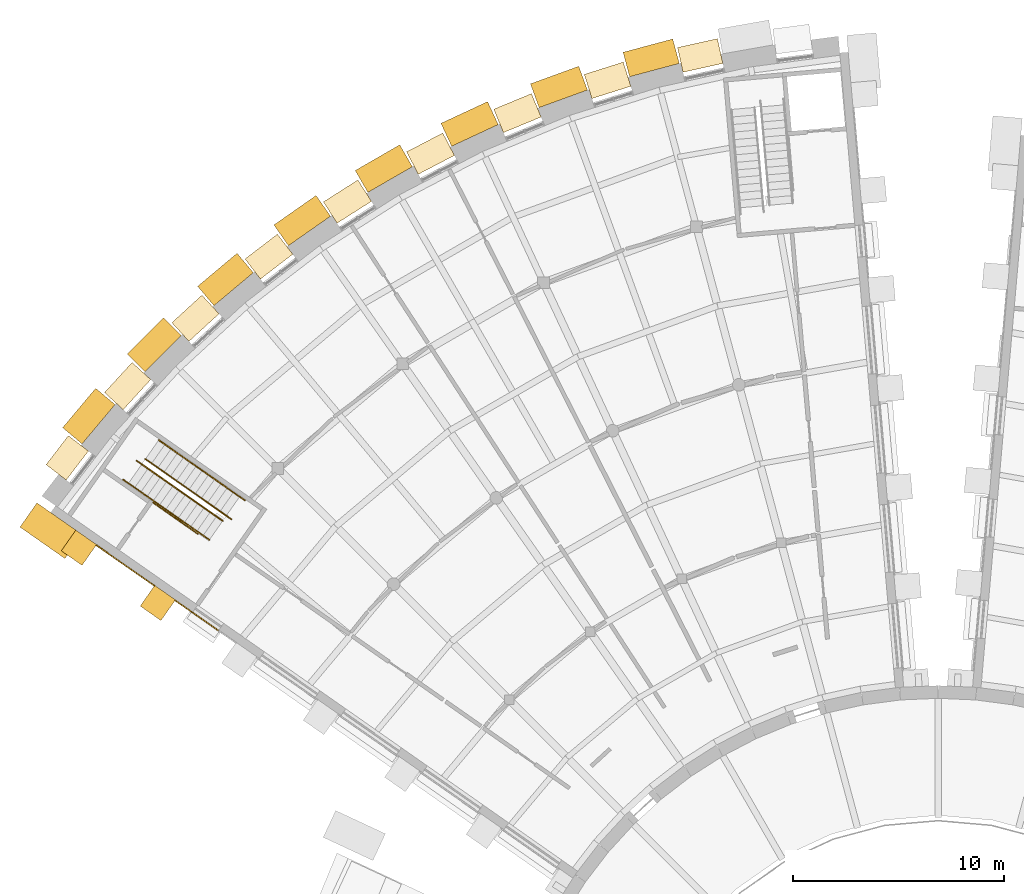
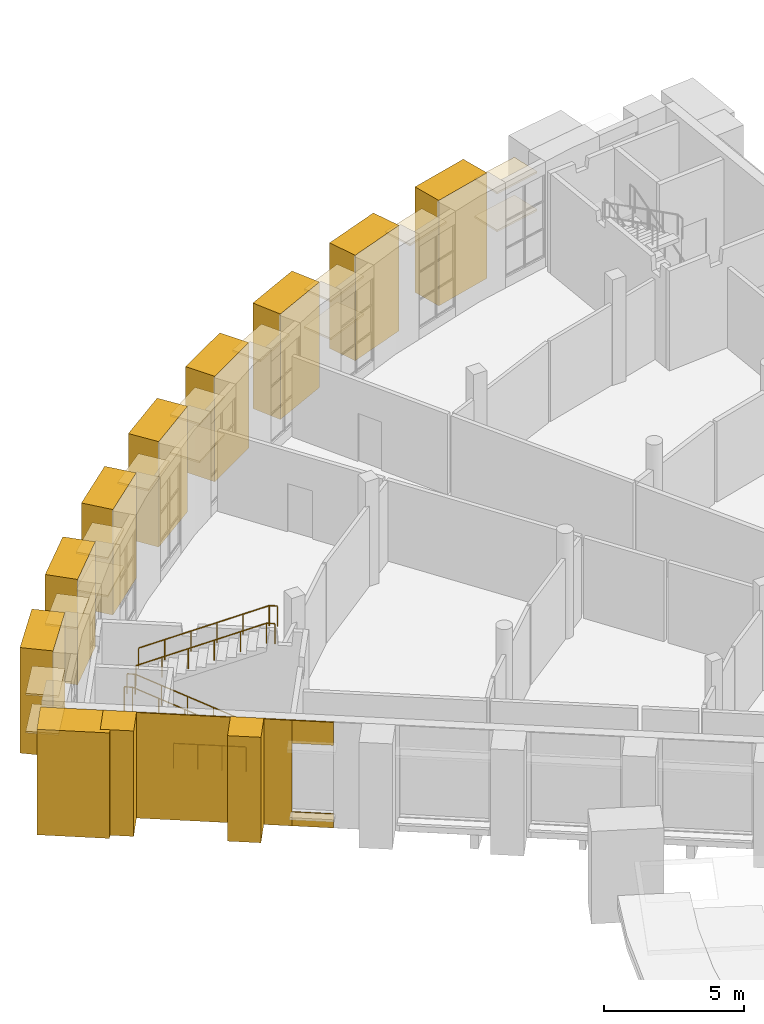
# One storey, part 45 of 50: 29 coverings, 5 railings.
"""IFC4 building model written with IfcOpenShell, lengths in metres."""

from ifc_helpers import new_model, si_unit, direction, frame, origin, origin_2d, place, context, subcontext, project, spatial, polyline, rectangle, circle, outline, extrude, material, layer, layer_set, type_object, element, save


model = new_model("IFC4")

# Units and contexts
model_context = context("Model", 3, precision=1e-05, world=origin(), true_north=direction((0.0, 1.0)))
body_context = subcontext(model_context, "Body", "Model", "MODEL_VIEW")
ifc_project = project(units=[si_unit("LENGTHUNIT", "METRE"), si_unit("AREAUNIT", "SQUARE_METRE"), si_unit("VOLUMEUNIT", "CUBIC_METRE"), si_unit("PLANEANGLEUNIT", "RADIAN"), si_unit("MASSUNIT", "GRAM", prefix="KILO")], contexts=[model_context])

# Site, building, storey
site_placement = place(None, origin())
site = spatial("IfcSite", under=ifc_project, at=site_placement, CompositionType="ELEMENT")
building_placement = place(site_placement, origin())
building = spatial("IfcBuilding", under=site, at=building_placement, Name="Volute Hill Aquarium", CompositionType="ELEMENT")
storey_placement = place(building_placement, frame((0.0, 0.0, 9.199951171875)))
storey = spatial("IfcBuildingStorey", under=building, at=storey_placement, Name="L03", CompositionType="ELEMENT", Elevation=9.199951171875)

# Coverings
ifc_material_1 = material(Name="Precast concrete C40/50", Category="concrete")
covering_type_1 = type_object("IfcCoveringType", Name="End wall precast fin C40/50 1200x1200", PredefinedType="CLADDING", material=ifc_material_1)
for number, where, z_axis, x_axis, name in (
    (1, (-36.982177734375, 24.91845703125, 0.0), (0.0, 0.0, 1.0), (-0.819151442029, 0.573577296467, 0.0), "End wall fin EWF S6B L03 6"),
    (2, (-40.72021484375, 27.535888671875, 0.0), (0.0, 0.0, 1.0), (-0.819151442029, 0.573577296467, 0.0), "End wall fin EWF S6B L03 7"),
):
    element("IfcCovering", number, at=place(storey_placement, frame(where, z_axis=z_axis, x_axis=x_axis)), inside=storey, type_object=covering_type_1, Name=name, PredefinedType="CLADDING", context=body_context, shape_type="SweptSolid", body=[
        extrude(rectangle(XDim=1.199951171875, YDim=1.199951171875, at=origin_2d()), origin(), (0.0, 0.0, 1.0), 4.60009765625),
    ])
ifc_material_2 = material(Name="Precast concrete C40/50", Category="concrete")
ifc_layer_1 = layer(ifc_material_2, 0.050048828125)
ifc_layer_set_1 = layer_set([ifc_layer_1], Name="End wall precast infill panel C40/50 50")
covering_type_2 = type_object("IfcCoveringType", Name="End wall precast infill panel C40/50 50", PredefinedType="CLADDING", material=ifc_layer_set_1)
covering_1_placement = place(storey_placement, frame((-34.093017578125, 23.628173828125, 0.0), z_axis=(0.573560650686, 0.819163097304, 0.0), x_axis=(-0.819163097304, 0.573560650686, 0.0)))
element("IfcCovering", 3, at=covering_1_placement, inside=storey, type_object=covering_type_2, Name="End wall panel EWP S6B L03 5", PredefinedType="CLADDING", context=body_context, shape_type="SweptSolid", body=[
    extrude(outline(polyline([(0.0, 0.0), (1.5000184574581061, 0.0), (1.5000184574581061, 0.60009765625), (0.0, 0.60009765625), (0.0, 0.0)])), origin(), (0.0, 0.0, -1.0), 0.050048828125),
])
covering_2_placement = place(storey_placement, frame((-34.093017578125, 23.628173828125, 3.60009765625), z_axis=(0.573560650686, 0.819163097304, 0.0), x_axis=(-0.819163097304, 0.573560650686, 0.0)))
element("IfcCovering", 4, at=covering_2_placement, inside=storey, type_object=covering_type_2, Name="End wall panel EWP S6B L03 5", PredefinedType="CLADDING", context=body_context, shape_type="SweptSolid", body=[
    extrude(outline(polyline([(0.0, 0.0), (1.5000184574581061, 0.0), (1.5000184574581061, 1.0), (0.0, 1.0), (0.0, 0.0)])), origin(), (0.0, 0.0, -1.0), 0.050048828125),
])
covering_3_placement = place(storey_placement, frame((-35.32177734375, 24.488525390625, 0.0), z_axis=(0.57352744492, 0.819186346275, 0.0), x_axis=(-0.819186346275, 0.57352744492, 0.0)))
element("IfcCovering", 5, at=covering_3_placement, inside=storey, type_object=covering_type_2, Name="End wall panel EWP S6B L03 5", PredefinedType="CLADDING", context=body_context, shape_type="SweptSolid", body=[
    extrude(outline(polyline([(0.0, 0.0), (1.0067392297248692, 0.0), (1.0067392297248692, 4.60009765625), (0.0, 4.60009765625), (0.0, 0.0)])), origin(), (0.0, 0.0, -1.0), 0.050048828125),
])
covering_4_placement = place(storey_placement, frame((-37.12939453125, 25.754150390625, 0.0), z_axis=(0.573584128646, 0.819146658032, 0.0), x_axis=(-0.819146658032, 0.573584128646, 0.0)))
element("IfcCovering", 6, at=covering_4_placement, inside=storey, type_object=covering_type_2, Name="End wall panel EWP S6B L03 6", PredefinedType="CLADDING", context=body_context, shape_type="SweptSolid", body=[
    extrude(outline(polyline([(0.0, 0.0), (3.3634110889781903, 0.0), (3.3634110889781903, 4.60009765625), (0.0, 4.60009765625), (0.0, 0.0)])), origin(), (0.0, 0.0, -1.0), 0.050048828125),
])

# Railings
ifc_material_3 = material(Name="Stainless steel 1.4301", Category="steel")
railing_type_1 = type_object("IfcRailingType", Name="Guard 1100 stainless", PredefinedType="GUARDRAIL", material=ifc_material_3)
railing_1_placement = place(storey_placement, frame((-37.206298828125, 29.677734375, 0.0)))
element("IfcRailing", 7, at=railing_1_placement, inside=storey, type_object=railing_type_1, Name="gd/S6-B/L03/edge", PredefinedType="GUARDRAIL", context=body_context, shape_type="SweptSolid", body=[
    extrude(circle(Radius=0.02392578125, at=origin_2d()), frame((0.0, 0.0, 1.076171875), z_axis=(0.819178980414, -0.573537965655, 0.0), x_axis=(0.573537965655, 0.819178980414, 0.0)), (0.0, 0.0, 1.0), 2.60009765625),
    extrude(circle(Radius=0.02099609375, at=origin_2d()), origin(), (0.0, 0.0, 1.0), 1.052001953125),
    extrude(circle(Radius=0.02099609375, at=origin_2d()), frame((0.7099609375, -0.4970703125, 0.0)), (0.0, 0.0, 1.0), 1.052001953125),
    extrude(circle(Radius=0.02099609375, at=origin_2d()), frame((1.419921875, -0.994140625, 0.0)), (0.0, 0.0, 1.0), 1.052001953125),
    extrude(circle(Radius=0.02099609375, at=origin_2d()), frame((2.1298828125, -1.4912109375, 0.0)), (0.0, 0.0, 1.0), 1.052001953125),
])
railing_2_placement = place(storey_placement, frame((-34.5390625, 27.90771484375, 0.164306640625)))
element("IfcRailing", 8, at=railing_2_placement, inside=storey, type_object=railing_type_1, Name="gd/S6-B/L03/1", PredefinedType="GUARDRAIL", context=body_context, shape_type="SweptSolid", body=[
    extrude(circle(Radius=0.02392578125, at=origin_2d()), frame((0.0, 0.0, 1.076171875), z_axis=(-0.745211487204, 0.521833121906, 0.415150613899), x_axis=(-0.573598873883, -0.819136332902, 0.0)), (0.0, 0.0, 1.0), 5.14453125),
    extrude(circle(Radius=0.02392578125, at=origin_2d()), frame((-3.833740234375, 2.6845703125, 3.2119140625), z_axis=(-0.818925855405, 0.573899332068, 0.0), x_axis=(-0.573899332068, -0.818925855405, 0.0)), (0.0, 0.0, 1.0), 0.2998046875),
    extrude(circle(Radius=0.02099609375, at=origin_2d()), origin(), (0.0, 0.0, 1.0), 1.052001953125),
    extrude(circle(Radius=0.02099609375, at=origin_2d()), frame((-0.766845703125, 0.536865234375, 0.42724609375)), (0.0, 0.0, 1.0), 1.052001953125),
    extrude(circle(Radius=0.02099609375, at=origin_2d()), frame((-1.533447265625, 1.07373046875, 0.854248046875)), (0.0, 0.0, 1.0), 1.052001953125),
    extrude(circle(Radius=0.02099609375, at=origin_2d()), frame((-2.30029296875, 1.61083984375, 1.281494140625)), (0.0, 0.0, 1.0), 1.052001953125),
    extrude(circle(Radius=0.02099609375, at=origin_2d()), frame((-3.06689453125, 2.147705078125, 1.70849609375)), (0.0, 0.0, 1.0), 1.052001953125),
    extrude(circle(Radius=0.02099609375, at=origin_2d()), frame((-3.833740234375, 2.6845703125, 2.1357421875)), (0.0, 0.0, 1.0), 1.052001953125),
    extrude(circle(Radius=0.02099609375, at=origin_2d()), frame((-4.079345703125, 2.856689453125, 2.1357421875)), (0.0, 0.0, 1.0), 1.052001953125),
])
ifc_material_4 = material(Name="Stainless steel 1.4301", Category="steel")
railing_type_2 = type_object("IfcRailingType", Name="Handrail 48 stainless", PredefinedType="HANDRAIL", material=ifc_material_4)
railing_3_placement = place(storey_placement, frame((-33.908203125, 28.808837890625, 0.164306640625)))
element("IfcRailing", 9, at=railing_3_placement, inside=storey, type_object=railing_type_2, Name="hr/S6-B/L03/2", PredefinedType="HANDRAIL", context=body_context, shape_type="SweptSolid", body=[
    extrude(circle(Radius=0.02392578125, at=origin_2d()), frame((0.0, 0.0, 0.8759765625), z_axis=(-0.745190384026, 0.521851577044, 0.415165296106), x_axis=(-0.573623384376, -0.819119168923, 0.0)), (0.0, 0.0, 1.0), 5.144287109375),
    extrude(circle(Radius=0.02392578125, at=origin_2d()), frame((-3.83349609375, 2.6845703125, 3.01171875), z_axis=(-0.819575896246, 0.572970636502, 0.0), x_axis=(-0.572970636502, -0.819575896246, 0.0)), (0.0, 0.0, 1.0), 0.300048828125),
    extrude(circle(Radius=0.02099609375, at=origin_2d()), origin(), (0.0, 0.0, 1.0), 0.851806640625),
    extrude(circle(Radius=0.02099609375, at=origin_2d()), frame((-0.7666015625, 0.536865234375, 0.42724609375)), (0.0, 0.0, 1.0), 0.851806640625),
    extrude(circle(Radius=0.02099609375, at=origin_2d()), frame((-1.533447265625, 1.07373046875, 0.854248046875)), (0.0, 0.0, 1.0), 0.851806640625),
    extrude(circle(Radius=0.02099609375, at=origin_2d()), frame((-2.300048828125, 1.61083984375, 1.281494140625)), (0.0, 0.0, 1.0), 0.851806640625),
    extrude(circle(Radius=0.02099609375, at=origin_2d()), frame((-3.06689453125, 2.147705078125, 1.70849609375)), (0.0, 0.0, 1.0), 0.851806640625),
    extrude(circle(Radius=0.02099609375, at=origin_2d()), frame((-3.83349609375, 2.6845703125, 2.1357421875)), (0.0, 0.0, 1.0), 0.851806640625),
    extrude(circle(Radius=0.02099609375, at=origin_2d()), frame((-4.079345703125, 2.8564453125, 2.1357421875)), (0.0, 0.0, 1.0), 0.851806640625),
])
railing_4_placement = place(storey_placement, frame((-37.569580078125, 31.739013671875, 2.46435546875)))
element("IfcRailing", 10, at=railing_4_placement, inside=storey, type_object=railing_type_2, Name="hr/S6-B/L03/3", PredefinedType="HANDRAIL", context=body_context, shape_type="SweptSolid", body=[
    extrude(circle(Radius=0.02392578125, at=origin_2d()), frame((0.0, 0.0, 0.8759765625), z_axis=(0.745208839402, -0.521817041729, 0.415175578085), x_axis=(0.573588381334, 0.819143680192, 0.0)), (0.0, 0.0, 1.0), 5.144287109375),
    extrude(circle(Radius=0.02392578125, at=origin_2d()), frame((3.83349609375, -2.684326171875, 3.01171875), z_axis=(0.819193700616, -0.573516940352, 0.0), x_axis=(0.573516940352, 0.819193700616, 0.0)), (0.0, 0.0, 1.0), 0.300048828125),
    extrude(circle(Radius=0.02099609375, at=origin_2d()), origin(), (0.0, 0.0, 1.0), 0.851806640625),
    extrude(circle(Radius=0.02099609375, at=origin_2d()), frame((0.7666015625, -0.536865234375, 0.42724609375)), (0.0, 0.0, 1.0), 0.851806640625),
    extrude(circle(Radius=0.02099609375, at=origin_2d()), frame((1.533447265625, -1.07373046875, 0.854248046875)), (0.0, 0.0, 1.0), 0.851806640625),
    extrude(circle(Radius=0.02099609375, at=origin_2d()), frame((2.300048828125, -1.610595703125, 1.281494140625)), (0.0, 0.0, 1.0), 0.851806640625),
    extrude(circle(Radius=0.02099609375, at=origin_2d()), frame((3.06689453125, -2.1474609375, 1.70849609375)), (0.0, 0.0, 1.0), 0.851806640625),
    extrude(circle(Radius=0.02099609375, at=origin_2d()), frame((3.83349609375, -2.684326171875, 2.1357421875)), (0.0, 0.0, 1.0), 0.851806640625),
    extrude(circle(Radius=0.02099609375, at=origin_2d()), frame((4.079345703125, -2.8564453125, 2.1357421875)), (0.0, 0.0, 1.0), 0.851806640625),
])
railing_5_placement = place(storey_placement, frame((-36.938720703125, 32.64013671875, 2.46435546875)))
element("IfcRailing", 11, at=railing_5_placement, inside=storey, type_object=railing_type_2, Name="hr/S6-B/L03/4", PredefinedType="HANDRAIL", context=body_context, shape_type="SweptSolid", body=[
    extrude(circle(Radius=0.02392578125, at=origin_2d()), frame((0.0, 0.0, 0.8759765625), z_axis=(0.745229941797, -0.521798586898, 0.415160894787), x_axis=(0.57356387087, 0.81916084259, 0.0)), (0.0, 0.0, 1.0), 5.144287109375),
    extrude(circle(Radius=0.02392578125, at=origin_2d()), frame((3.833740234375, -2.684326171875, 3.01171875), z_axis=(0.818925855405, -0.573899332068, 0.0), x_axis=(0.573899332068, 0.818925855405, 0.0)), (0.0, 0.0, 1.0), 0.2998046875),
    extrude(circle(Radius=0.02099609375, at=origin_2d()), origin(), (0.0, 0.0, 1.0), 0.851806640625),
    extrude(circle(Radius=0.02099609375, at=origin_2d()), frame((0.766845703125, -0.536865234375, 0.42724609375)), (0.0, 0.0, 1.0), 0.851806640625),
    extrude(circle(Radius=0.02099609375, at=origin_2d()), frame((1.533447265625, -1.07373046875, 0.854248046875)), (0.0, 0.0, 1.0), 0.851806640625),
    extrude(circle(Radius=0.02099609375, at=origin_2d()), frame((2.30029296875, -1.610595703125, 1.281494140625)), (0.0, 0.0, 1.0), 0.851806640625),
    extrude(circle(Radius=0.02099609375, at=origin_2d()), frame((3.06689453125, -2.1474609375, 1.70849609375)), (0.0, 0.0, 1.0), 0.851806640625),
    extrude(circle(Radius=0.02099609375, at=origin_2d()), frame((3.833740234375, -2.684326171875, 2.1357421875)), (0.0, 0.0, 1.0), 0.851806640625),
    extrude(circle(Radius=0.02099609375, at=origin_2d()), frame((4.079345703125, -2.8564453125, 2.1357421875)), (0.0, 0.0, 1.0), 0.851806640625),
])

# Coverings
ifc_material_5 = material(Name="Aluminium, anodised", Category="aluminium")
ifc_layer_2 = layer(ifc_material_5, 0.080078125)
ifc_layer_set_2 = layer_set([ifc_layer_2], Name="Horizontal brise-soleil eyebrow 1200x80")
covering_type_3 = type_object("IfcCoveringType", Name="Horizontal brise-soleil eyebrow 1200x80", PredefinedType="CLADDING", material=ifc_layer_set_2)
for number, where, z_axis, x_axis, name in (
    (12, (-11.27685546875, 50.865966796875, 3.860107421875), (0.0, 0.0, 1.0), (-0.976298376022, -0.216428928234, 0.0), "Brise-soleil eyebrow BS S6 L03 2.1"),
    (13, (-11.27685546875, 50.865966796875, 2.2099609375), (0.0, 0.0, 1.0), (-0.976298376022, -0.216428928234, 0.0), "Brise-soleil eyebrow BS S6 L03 2.2"),
    (14, (-15.6669921875, 49.689453125, 3.860107421875), (0.0, 0.0, 1.0), (-0.953718003322, -0.300702461147, 0.0), "Brise-soleil eyebrow BS S6 L03 3.1"),
    (15, (-19.938232421875, 48.135009765625, 3.860107421875), (0.0, 0.0, 1.0), (-0.923880784882, -0.382680408861, 0.0), "Brise-soleil eyebrow BS S6 L03 4.1"),
    (16, (-19.938232421875, 48.135009765625, 2.2099609375), (0.0, 0.0, 1.0), (-0.923880784882, -0.382680408861, 0.0), "Brise-soleil eyebrow BS S6 L03 4.2"),
    (17, (-24.0576171875, 46.214111328125, 3.860107421875), (0.0, 0.0, 1.0), (-0.887005547579, -0.461758766635, 0.0), "Brise-soleil eyebrow BS S6 L03 5.1"),
    (18, (-27.993896484375, 43.94140625, 3.860107421875), (0.0, 0.0, 1.0), (-0.843395858464, -0.537292681808, 0.0), "Brise-soleil eyebrow BS S6 L03 6.1"),
    (19, (-27.993896484375, 43.94140625, 2.2099609375), (0.0, 0.0, 1.0), (-0.843395858464, -0.537292681808, 0.0), "Brise-soleil eyebrow BS S6 L03 6.2"),
    (20, (-31.717041015625, 41.33447265625, 3.860107421875), (0.0, 0.0, 1.0), (-0.793350035535, -0.608765735827, 0.0), "Brise-soleil eyebrow BS S6 L03 7.1"),
    (21, (-35.198974609375, 38.412841796875, 3.860107421875), (0.0, 0.0, 1.0), (-0.737286116943, -0.675580625657, 0.0), "Brise-soleil eyebrow BS S6 L03 8.1"),
    (22, (-35.198974609375, 38.412841796875, 2.2099609375), (0.0, 0.0, 1.0), (-0.737286116943, -0.675580625657, 0.0), "Brise-soleil eyebrow BS S6 L03 8.2"),
    (23, (-38.412841796875, 35.198974609375, 3.860107421875), (0.0, 0.0, 1.0), (-0.675580625657, -0.737286116943, 0.0), "Brise-soleil eyebrow BS S6 L03 9.1"),
):
    element("IfcCovering", number, at=place(storey_placement, frame(where, z_axis=z_axis, x_axis=x_axis)), inside=storey, type_object=covering_type_3, Name=name, PredefinedType="CLADDING", context=body_context, shape_type="SweptSolid", body=[
        extrude(rectangle(XDim=1.933837890625, YDim=1.199951171875, at=origin_2d()), origin(), (0.0, 0.0, 1.0), 0.080078125),
    ])
for number, where, z_axis, x_axis, name in (
    (24, (-41.2734375, 31.79638671875, 3.860107421875), (0.0, 0.0, 1.0), (-0.608765735827, -0.793350035535, 0.0), "Brise-soleil eyebrow BS S6 L03 10.1"),
    (25, (-41.2734375, 31.79638671875, 2.2099609375), (0.0, 0.0, 1.0), (-0.608765735827, -0.793350035535, 0.0), "Brise-soleil eyebrow BS S6 L03 10.2"),
):
    element("IfcCovering", number, at=place(storey_placement, frame(where, z_axis=z_axis, x_axis=x_axis)), inside=storey, type_object=covering_type_3, Name=name, PredefinedType="CLADDING", context=body_context, shape_type="SweptSolid", body=[
        extrude(rectangle(XDim=1.733642578125, YDim=1.199951171875, at=origin_2d()), origin(), (0.0, 0.0, 1.0), 0.080078125),
    ])
ifc_material_6 = material(Name="Precast concrete C40/50", Category="concrete")
covering_type_4 = type_object("IfcCoveringType", Name="Projecting pier precast concrete C40/50 2435x1200", PredefinedType="CLADDING", material=ifc_material_6)
for number, where, z_axis, x_axis, name in (
    (26, (-13.599365234375, 50.75341796875, 0.0), (0.0, 0.0, 1.0), (-0.965925826289, -0.258819045103, 0.0), "Projecting pier PP S6 L03 2"),
    (27, (-17.970947265625, 49.375, 0.0), (0.0, 0.0, 1.0), (-0.939692620786, -0.342020143326, 0.0), "Projecting pier PP S6 L03 3"),
    (28, (-22.205810546875, 47.620849609375, 0.0), (0.0, 0.0, 1.0), (-0.906307787037, -0.422618261741, 0.0), "Projecting pier PP S6 L03 4"),
    (29, (-26.271728515625, 45.504150390625, 0.0), (0.0, 0.0, 1.0), (-0.866025403784, -0.5, 0.0), "Projecting pier PP S6 L03 5"),
    (30, (-30.1376953125, 43.041259765625, 0.0), (0.0, 0.0, 1.0), (-0.819152044289, -0.573576436351, 0.0), "Projecting pier PP S6 L03 6"),
    (31, (-33.7744140625, 40.250732421875, 0.0), (0.0, 0.0, 1.0), (-0.766044443119, -0.642787609687, 0.0), "Projecting pier PP S6 L03 7"),
    (32, (-37.154052734375, 37.154052734375, 0.0), (0.0, 0.0, 1.0), (-0.707106781187, -0.707106781187, 0.0), "Projecting pier PP S6 L03 8"),
    (33, (-40.250732421875, 33.7744140625, 0.0), (0.0, 0.0, 1.0), (-0.642787609687, -0.766044443119, 0.0), "Projecting pier PP S6 L03 9"),
):
    element("IfcCovering", number, at=place(storey_placement, frame(where, z_axis=z_axis, x_axis=x_axis)), inside=storey, type_object=covering_type_4, Name=name, PredefinedType="CLADDING", context=body_context, shape_type="SweptSolid", body=[
        extrude(rectangle(XDim=2.435302734375, YDim=1.199951171875, at=origin_2d()), origin(), (0.0, 0.0, 1.0), 4.60009765625),
    ])
ifc_material_7 = material(Name="Precast concrete C40/50", Category="concrete")
covering_type_5 = type_object("IfcCoveringType", Name="Step pylon precast concrete C40/50 1400x2600", PredefinedType="CLADDING", material=ifc_material_7)
covering_5_placement = place(storey_placement, frame((-42.047119140625, 28.343017578125, 0.0), z_axis=(0.0, 0.0, 1.0), x_axis=(-0.819152044289, 0.573576436351, 0.0)))
element("IfcCovering", 34, at=covering_5_placement, inside=storey, type_object=covering_type_5, Name="Step pylon SPY S6B L03", PredefinedType="CLADDING", context=body_context, shape_type="SweptSolid", body=[
    extrude(rectangle(XDim=2.60009765625, YDim=1.39990234375, at=origin_2d()), origin(), (0.0, 0.0, 1.0), 4.60009765625),
])

save(model, "model.ifc")
